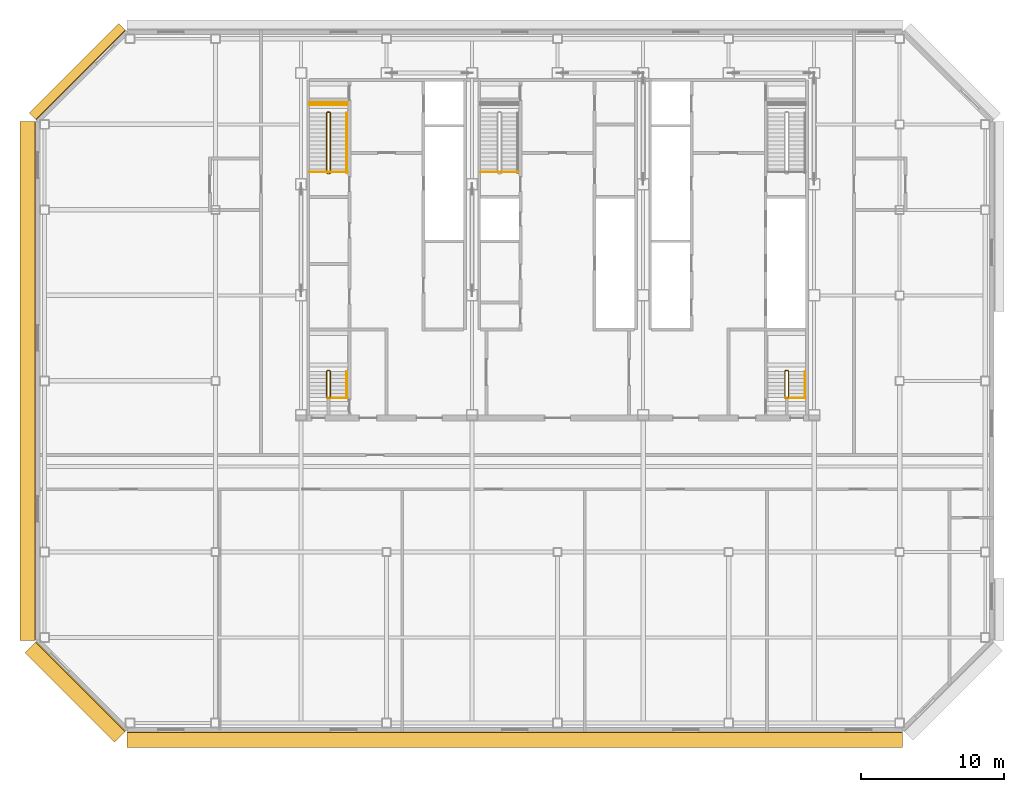
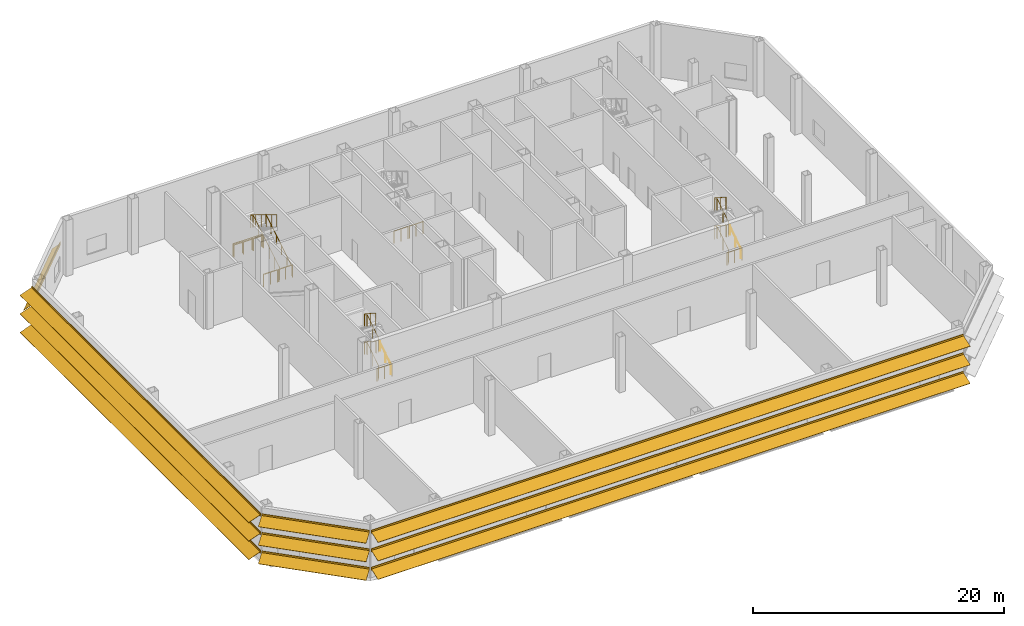
# One storey, part 10 of 11: 16 railings, 4 shading devices.
"""IFC4 building model written with IfcOpenShell, lengths in metres."""

import ifcopenshell
import ifcopenshell.guid

model = None  # the IFC model being written
_history = None  # IfcOwnerHistory: only IFC2X3 demands one
_inside = {}  # id of a spatial element -> (the spatial element, [elements in it])
_under = {}  # id of a project, library or spatial element -> (it, [spatial elements below it])
_declared = {}  # id of a project -> (the project, [libraries it declares])
_typed = {}  # id of a type object -> (the type object, [elements of that type])
_made_of = {}  # id of a material, layer set ... -> (it, [elements and type objects made of it])


def new_model(schema):
    """Start an empty IFC model of exactly this schema.

    Asked for "IFC4X3", IfcOpenShell would pick the latest addendum, in which some entities
    have other attributes; the version numbers below select the first issue.
    IFC2X3 requires an IfcOwnerHistory on every rooted entity: one is made here for all.
    """
    global model, _history
    if schema == "IFC4X3":
        model = ifcopenshell.file(schema_version=(4, 3, 0, 0))
    else:
        model = ifcopenshell.file(schema=schema)
    _inside.clear()
    _under.clear()
    _declared.clear()
    _typed.clear()
    _made_of.clear()
    _history = None
    if model.schema == "IFC2X3":
        org = make("IfcOrganization", Name="unknown")
        user = make(
            "IfcPersonAndOrganization",
            ThePerson=make("IfcPerson", FamilyName="unknown"),
            TheOrganization=org,
        )
        app = make(
            "IfcApplication",
            ApplicationDeveloper=org,
            Version="unknown",
            ApplicationFullName="unknown",
            ApplicationIdentifier="unknown",
        )
        _history = make(
            "IfcOwnerHistory",
            OwningUser=user,
            OwningApplication=app,
            ChangeAction="ADDED",
            CreationDate=0,
        )
    return model


def make(cls, **values):
    """One entity of the class cls with the attributes given. An attribute that is None is left unset."""
    return model.create_entity(
        cls, **{name: value for name, value in values.items() if value is not None}
    )


def rooted(cls, **values):
    """An entity with a GlobalId (a new one), such as an element, a storey or a relation."""
    return make(cls, GlobalId=ifcopenshell.guid.new(), OwnerHistory=_history, **values)


def si_unit(unit_type, name, prefix=None):
    """IfcSIUnit, for example si_unit("LENGTHUNIT", "METRE", prefix="MILLI")."""
    return make("IfcSIUnit", UnitType=unit_type, Prefix=prefix, Name=name)


def assignment(units):
    """IfcUnitAssignment: the units of a project."""
    return None if units is None else make("IfcUnitAssignment", Units=units)


def point(xyz):
    """IfcCartesianPoint."""
    return None if xyz is None else make("IfcCartesianPoint", Coordinates=xyz)


def direction(xyz):
    """IfcDirection."""
    return None if xyz is None else make("IfcDirection", DirectionRatios=xyz)


def frame(location, z_axis=None, x_axis=None):
    """IfcAxis2Placement3D, a coordinate frame: its origin and axes. An axis left out is left unset."""
    return make(
        "IfcAxis2Placement3D",
        Location=point(location),
        Axis=direction(z_axis),
        RefDirection=direction(x_axis),
    )


def frame_2d(location, x_axis=None):
    """IfcAxis2Placement2D, a coordinate frame in the plane: its origin and x axis."""
    return make(
        "IfcAxis2Placement2D", Location=point(location), RefDirection=direction(x_axis)
    )


def origin():
    """The frame at (0, 0, 0) with its axes left unset."""
    return frame((0.0, 0.0, 0.0))


def origin_2d():
    """The frame at (0, 0) in the plane with its x axis left unset."""
    return frame_2d((0.0, 0.0))


def place(relative_to, where):
    """IfcLocalPlacement: puts the frame where relative to a parent placement (None: the world)."""
    return make(
        "IfcLocalPlacement", PlacementRelTo=relative_to, RelativePlacement=where
    )


def context(
    kind, dimensions, precision=None, world=None, true_north=None, identifier=None
):
    """IfcGeometricRepresentationContext, for example the 3D "Model" context."""
    return make(
        "IfcGeometricRepresentationContext",
        ContextIdentifier=identifier,
        ContextType=kind,
        CoordinateSpaceDimension=dimensions,
        Precision=precision,
        WorldCoordinateSystem=world,
        TrueNorth=true_north,
    )


def subcontext(parent, identifier, kind, view, scale=None):
    """IfcGeometricRepresentationSubContext, for example "Body" below "Model"."""
    return make(
        "IfcGeometricRepresentationSubContext",
        ContextIdentifier=identifier,
        ContextType=kind,
        ParentContext=parent,
        TargetScale=scale,
        TargetView=view,
    )


def project(units=None, contexts=None):
    """IfcProject with its units and contexts."""
    return rooted(
        "IfcProject",
        Name="project",
        RepresentationContexts=contexts,
        UnitsInContext=assignment(units),
    )


def spatial(cls, under=None, at=None, **own):
    """A site, building, storey or space (cls), placed at a placement, below another one or the project."""
    s = rooted(cls, ObjectPlacement=at, **own)
    if under is not None:
        _under.setdefault(under.id(), (under, []))[1].append(s)
    return s


def polyline(points):
    """IfcPolyline through the points."""
    return make("IfcPolyline", Points=[point(p) for p in points])


def profile(cls, at=None, kind="AREA", **sizes):
    """A parametric profile (cls). Its sizes go by their IFC names, for example OverallWidth=200.0."""
    return make(cls, ProfileType=kind, Position=at, **sizes)


def circle(**sizes):
    """IfcCircleProfileDef."""
    return profile("IfcCircleProfileDef", **sizes)


def outline(outer, holes=None, kind="AREA"):
    """IfcArbitraryClosedProfileDef: a profile drawn as a closed curve; with holes, ...WithVoids."""
    if holes is None:
        return make("IfcArbitraryClosedProfileDef", ProfileType=kind, OuterCurve=outer)
    return make(
        "IfcArbitraryProfileDefWithVoids",
        ProfileType=kind,
        OuterCurve=outer,
        InnerCurves=holes,
    )


def composite_profile(profiles, kind="AREA"):
    """IfcCompositeProfileDef: several profiles as one."""
    return make("IfcCompositeProfileDef", ProfileType=kind, Profiles=profiles)


def extrude(swept, where, along, depth):
    """IfcExtrudedAreaSolid: the profile swept, set in the frame where, extruded along a direction by depth."""
    return make(
        "IfcExtrudedAreaSolid",
        SweptArea=swept,
        Position=where,
        ExtrudedDirection=direction(along),
        Depth=depth,
    )


def shape(context_of_items, identifier, shape_type, items):
    """IfcShapeRepresentation: the items that make up one representation, for example the "Body"."""
    return make(
        "IfcShapeRepresentation",
        ContextOfItems=context_of_items,
        RepresentationIdentifier=identifier,
        RepresentationType=shape_type,
        Items=items,
    )


def material(Name=None, Category=None):
    """IfcMaterial."""
    return make("IfcMaterial", Name=Name, Category=Category)


def made_of(thing, what):
    """Note that an element or type object is made of a material, layer set ...; save() writes the relation."""
    if what is not None:
        _made_of.setdefault(what.id(), (what, []))[1].append(thing)
    return thing


def type_object(cls, material=None, **own):
    """A type object (cls), such as IfcWallType, which elements share."""
    return made_of(rooted(cls, **own), material)


def element(
    cls,
    number,
    at=None,
    inside=None,
    cuts=None,
    type_object=None,
    material=None,
    context=None,
    identifier="Body",
    shape_type=None,
    held_by="IfcProductDefinitionShape",
    body=None,
    shapes=None,
    **own,
):
    """One element of the class cls, such as IfcWall. Its Tag is "e" and its number.

    at: its placement. inside: the storey or other place that contains it. cuts: it is an
    opening in that element (IfcRelVoidsElement). A single representation is given by context,
    identifier, shape_type and body (its items); several are given by shapes. held_by: the class
    of the entity that holds the representations. save() writes the other relations.
    """
    e = rooted(cls, Tag="e%d" % number, ObjectPlacement=at, **own)
    if body is not None:
        shapes = [shape(context, identifier, shape_type, body)]
    if shapes is not None:
        e.Representation = make(held_by, Representations=shapes)
    if inside is not None:
        _inside.setdefault(inside.id(), (inside, []))[1].append(e)
    if cuts is not None:
        rooted(
            "IfcRelVoidsElement", RelatingBuildingElement=cuts, RelatedOpeningElement=e
        )
    if type_object is not None:
        _typed.setdefault(type_object.id(), (type_object, []))[1].append(e)
    return made_of(e, material)


def aggregate(whole, parts):
    """IfcRelAggregates: a whole, such as a stair, and the parts it consists of."""
    return rooted("IfcRelAggregates", RelatingObject=whole, RelatedObjects=parts)


def save(model, path):
    """Write the relations noted so far, then the file.

    IfcRelAggregates (storeys below a building ...), IfcRelContainedInSpatialStructure (elements
    in a storey), IfcRelDefinesByType, IfcRelAssociatesMaterial and IfcRelDeclares: one each for
    every whole, place, type object, material and project.
    """
    for whole, parts in _under.values():
        aggregate(whole, parts)
    for where, things in _inside.values():
        rooted(
            "IfcRelContainedInSpatialStructure",
            RelatedElements=things,
            RelatingStructure=where,
        )
    for kind, things in _typed.values():
        rooted("IfcRelDefinesByType", RelatedObjects=things, RelatingType=kind)
    for what, things in _made_of.values():
        rooted("IfcRelAssociatesMaterial", RelatedObjects=things, RelatingMaterial=what)
    for by, libraries in _declared.values():
        rooted("IfcRelDeclares", RelatingContext=by, RelatedDefinitions=libraries)
    model.write(path)


model = new_model("IFC4")

# Units and contexts
model_context = context("Model", 3, precision=1e-05, world=origin(), true_north=direction((0.0, 1.0)))
body_context = subcontext(model_context, "Body", "Model", "MODEL_VIEW")
ifc_project = project(units=[si_unit("LENGTHUNIT", "METRE"), si_unit("AREAUNIT", "SQUARE_METRE"), si_unit("VOLUMEUNIT", "CUBIC_METRE"), si_unit("PLANEANGLEUNIT", "RADIAN"), si_unit("MASSUNIT", "GRAM", prefix="KILO")], contexts=[model_context])

# Site, building, storey
site_placement = place(None, origin())
site = spatial("IfcSite", under=ifc_project, at=site_placement, CompositionType="ELEMENT")
building_placement = place(site_placement, origin())
building = spatial("IfcBuilding", under=site, at=building_placement, Name="Sorahane Residences", CompositionType="ELEMENT")
storey_placement = place(building_placement, frame((0.0, 0.0, 234.199951171875)))
storey = spatial("IfcBuildingStorey", under=building, at=storey_placement, Name="L55", CompositionType="ELEMENT", Elevation=234.199951171875)

# Shading devices
ifc_material_1 = material(Name="Terracotta anodised aluminium", Category="masonry")
shading_device_type_1 = type_object("IfcShadingDeviceType", Name="Louvre sunshade blade NW terracotta aluminium 700", PredefinedType="JALOUSIE", material=ifc_material_1)
shading_device_1_placement = place(storey_placement, frame((-6.283935546875, 48.564697265625, 2.699951171875), z_axis=(-0.707106781187, -0.707106781187, 0.0), x_axis=(0.707106781187, -0.707106781187, 0.0)))
element("IfcShadingDevice", 1, at=shading_device_1_placement, inside=storey, type_object=shading_device_type_1, Name="Louvre sunshade blade bank NW L55 NW1", PredefinedType="JALOUSIE", context=body_context, shape_type="SweptSolid", body=[
    extrude(outline(polyline([(-0.719970703125, -0.660888671875), (-0.719970703125, -0.69091796875), (-0.080078125, -0.072998046875), (-0.080078125, -0.14990234375), (-0.02001953125, -0.14990234375), (-0.02001953125, -0.014892578125), (-0.02001953125, 0.014892578125), (-0.02001953125, 0.14990234375), (-0.080078125, 0.14990234375), (-0.080078125, -0.04296875), (-0.719970703125, -0.660888671875)])), origin(), (0.0, 0.0, 1.0), 8.88232421875),
])
ifc_material_2 = material(Name="Terracotta anodised aluminium", Category="masonry")
shading_device_type_2 = type_object("IfcShadingDeviceType", Name="Louvre sunshade blade S terracotta aluminium 1100", PredefinedType="JALOUSIE", material=ifc_material_2)
shading_device_2_placement = place(storey_placement, frame((-6.198486328125, -0.60009765625, 0.900146484375), z_axis=(1.0, 0.0, 0.0), x_axis=(0.0, 1.0, 0.0)))
element("IfcShadingDevice", 2, at=shading_device_2_placement, inside=storey, type_object=shading_device_type_2, Name="Louvre sunshade blade bank S L55 S1", PredefinedType="JALOUSIE", context=body_context, shape_type="SweptSolid", body=[
    extrude(composite_profile([outline(polyline([(-1.1201171875, -0.385498046875), (-1.1201171875, -0.415283203125), (-0.080078125, -0.036865234375), (-0.080078125, -0.14990234375), (-0.02001953125, -0.14990234375), (-0.02001953125, -0.014892578125), (-0.02001953125, 0.014892578125), (-0.02001953125, 0.14990234375), (-0.080078125, 0.14990234375), (-0.080078125, -0.0068359375), (-1.1201171875, -0.385498046875)])), outline(polyline([(-1.1201171875, 1.41455078125), (-1.1201171875, 1.384521484375), (-0.080078125, 1.76318359375), (-0.080078125, 1.64990234375), (-0.02001953125, 1.64990234375), (-0.02001953125, 1.784912109375), (-0.02001953125, 1.81494140625), (-0.02001953125, 1.949951171875), (-0.080078125, 1.949951171875), (-0.080078125, 1.793212890625), (-1.1201171875, 1.41455078125)])), outline(polyline([(-1.1201171875, 3.214599609375), (-1.1201171875, 3.1845703125), (-0.080078125, 3.563232421875), (-0.080078125, 3.449951171875), (-0.02001953125, 3.449951171875), (-0.02001953125, 3.5849609375), (-0.02001953125, 3.614990234375), (-0.02001953125, 3.75), (-0.080078125, 3.75), (-0.080078125, 3.59326171875), (-1.1201171875, 3.214599609375)]))]), origin(), (0.0, 0.0, 1.0), 54.39697265625),
])
ifc_material_3 = material(Name="Terracotta anodised aluminium", Category="masonry")
shading_device_type_3 = type_object("IfcShadingDeviceType", Name="Louvre sunshade blade SW terracotta aluminium 1100", PredefinedType="JALOUSIE", material=ifc_material_3)
shading_device_3_placement = place(storey_placement, frame((-12.564697265625, 5.716064453125, 0.900146484375), z_axis=(0.707106781187, -0.707106781187, 0.0), x_axis=(0.707106781187, 0.707106781187, 0.0)))
element("IfcShadingDevice", 3, at=shading_device_3_placement, inside=storey, type_object=shading_device_type_3, Name="Louvre sunshade blade bank SW L55 SW1", PredefinedType="JALOUSIE", context=body_context, shape_type="SweptSolid", body=[
    extrude(composite_profile([outline(polyline([(-1.1201171875, -0.385498046875), (-1.1201171875, -0.415283203125), (-0.080078125, -0.036865234375), (-0.080078125, -0.14990234375), (-0.02001953125, -0.14990234375), (-0.02001953125, -0.014892578125), (-0.02001953125, 0.014892578125), (-0.02001953125, 0.14990234375), (-0.080078125, 0.14990234375), (-0.080078125, -0.0068359375), (-1.1201171875, -0.385498046875)])), outline(polyline([(-1.1201171875, 1.41455078125), (-1.1201171875, 1.384521484375), (-0.080078125, 1.76318359375), (-0.080078125, 1.64990234375), (-0.02001953125, 1.64990234375), (-0.02001953125, 1.784912109375), (-0.02001953125, 1.81494140625), (-0.02001953125, 1.949951171875), (-0.080078125, 1.949951171875), (-0.080078125, 1.793212890625), (-1.1201171875, 1.41455078125)])), outline(polyline([(-1.1201171875, 3.214599609375), (-1.1201171875, 3.1845703125), (-0.080078125, 3.563232421875), (-0.080078125, 3.449951171875), (-0.02001953125, 3.449951171875), (-0.02001953125, 3.5849609375), (-0.02001953125, 3.614990234375), (-0.02001953125, 3.75), (-0.080078125, 3.75), (-0.080078125, 3.59326171875), (-1.1201171875, 3.214599609375)]))]), origin(), (0.0, 0.0, 1.0), 8.88232421875),
])
ifc_material_4 = material(Name="Terracotta anodised aluminium", Category="masonry")
shading_device_type_4 = type_object("IfcShadingDeviceType", Name="Louvre sunshade blade W terracotta aluminium 1100", PredefinedType="JALOUSIE", material=ifc_material_4)
shading_device_4_placement = place(storey_placement, frame((-12.60009765625, 42.198486328125, 0.900146484375), z_axis=(0.0, -1.0, 0.0), x_axis=(1.0, 0.0, 0.0)))
element("IfcShadingDevice", 4, at=shading_device_4_placement, inside=storey, type_object=shading_device_type_4, Name="Louvre sunshade blade bank W L55 W1", PredefinedType="JALOUSIE", context=body_context, shape_type="SweptSolid", body=[
    extrude(composite_profile([outline(polyline([(-1.1201171875, -0.385498046875), (-1.1201171875, -0.415283203125), (-0.080078125, -0.036865234375), (-0.080078125, -0.14990234375), (-0.02001953125, -0.14990234375), (-0.02001953125, -0.014892578125), (-0.02001953125, 0.014892578125), (-0.02001953125, 0.14990234375), (-0.080078125, 0.14990234375), (-0.080078125, -0.0068359375), (-1.1201171875, -0.385498046875)])), outline(polyline([(-1.1201171875, 1.41455078125), (-1.1201171875, 1.384521484375), (-0.080078125, 1.76318359375), (-0.080078125, 1.64990234375), (-0.02001953125, 1.64990234375), (-0.02001953125, 1.784912109375), (-0.02001953125, 1.81494140625), (-0.02001953125, 1.949951171875), (-0.080078125, 1.949951171875), (-0.080078125, 1.793212890625), (-1.1201171875, 1.41455078125)])), outline(polyline([(-1.1201171875, 3.214599609375), (-1.1201171875, 3.1845703125), (-0.080078125, 3.563232421875), (-0.080078125, 3.449951171875), (-0.02001953125, 3.449951171875), (-0.02001953125, 3.5849609375), (-0.02001953125, 3.614990234375), (-0.02001953125, 3.75), (-0.080078125, 3.75), (-0.080078125, 3.59326171875), (-1.1201171875, 3.214599609375)]))]), origin(), (0.0, 0.0, 1.0), 36.39697265625),
])

# Railings
ifc_material_5 = material(Name="Steel Q355B", Category="steel")
railing_type_1 = type_object("IfcRailingType", Name="Stair guard 1200 Steel Q355B", PredefinedType="GUARDRAIL", material=ifc_material_5)
railing_1_placement = place(storey_placement, frame((6.60009765625, 43.52490234375, 0.0)))
element("IfcRailing", 5, at=railing_1_placement, inside=storey, type_object=railing_type_1, Name="L55 S1 top well guard 1", PredefinedType="GUARDRAIL", context=body_context, shape_type="SweptSolid", body=[
    extrude(circle(Radius=0.02392578125, at=origin_2d()), frame((0.0, 0.0, 1.17578125), z_axis=(1.0, 0.0, 0.0), x_axis=(0.0, 1.0, 0.0)), (0.0, 0.0, 1.0), 2.64990234375),
    extrude(circle(Radius=0.02099609375, at=origin_2d()), origin(), (0.0, 0.0, 1.0), 1.15185546875),
    extrude(circle(Radius=0.02099609375, at=origin_2d()), frame((0.88330078125, 0.0, 0.0)), (0.0, 0.0, 1.0), 1.15185546875),
    extrude(circle(Radius=0.02099609375, at=origin_2d()), frame((1.7666015625, 0.0, 0.0)), (0.0, 0.0, 1.0), 1.15185546875),
    extrude(circle(Radius=0.02099609375, at=origin_2d()), frame((2.64990234375, 0.0, 0.0)), (0.0, 0.0, 1.0), 1.15185546875),
])
for number, where, name in (
    (6, (6.60009765625, 38.64990234375, 0.0), "L55 Stair S1 edge guard"),
    (7, (7.983154296875, 38.64990234375, 0.0), "L55 Stair S1 edge guard"),
):
    element("IfcRailing", number, at=place(storey_placement, frame(where)), inside=storey, type_object=railing_type_1, Name=name, PredefinedType="GUARDRAIL", context=body_context, shape_type="SweptSolid", body=[
        extrude(circle(Radius=0.02392578125, at=origin_2d()), frame((0.0, 0.0, 1.17578125), z_axis=(1.0, 0.0, 0.0), x_axis=(0.0, 1.0, 0.0)), (0.0, 0.0, 1.0), 1.266845703125),
        extrude(circle(Radius=0.02099609375, at=origin_2d()), origin(), (0.0, 0.0, 1.0), 1.15185546875),
        extrude(circle(Radius=0.02099609375, at=origin_2d()), frame((0.63330078125, 0.0, 0.0)), (0.0, 0.0, 1.0), 1.15185546875),
        extrude(circle(Radius=0.02099609375, at=origin_2d()), frame((1.266845703125, 0.0, 0.0)), (0.0, 0.0, 1.0), 1.15185546875),
    ])
railing_2_placement = place(storey_placement, frame((6.60009765625, 43.35009765625, 0.0)))
element("IfcRailing", 8, at=railing_2_placement, inside=storey, type_object=railing_type_1, Name="L55 Stair S1 edge guard", PredefinedType="GUARDRAIL", context=body_context, shape_type="SweptSolid", body=[
    extrude(circle(Radius=0.02392578125, at=origin_2d()), frame((0.0, 0.0, 1.17578125), z_axis=(1.0, 0.0, 0.0), x_axis=(0.0, 1.0, 0.0)), (0.0, 0.0, 1.0), 2.64990234375),
    extrude(circle(Radius=0.02099609375, at=origin_2d()), origin(), (0.0, 0.0, 1.0), 1.15185546875),
    extrude(circle(Radius=0.02099609375, at=origin_2d()), frame((0.88330078125, 0.0, 0.0)), (0.0, 0.0, 1.0), 1.15185546875),
    extrude(circle(Radius=0.02099609375, at=origin_2d()), frame((1.7666015625, 0.0, 0.0)), (0.0, 0.0, 1.0), 1.15185546875),
    extrude(circle(Radius=0.02099609375, at=origin_2d()), frame((2.64990234375, 0.0, 0.0)), (0.0, 0.0, 1.0), 1.15185546875),
])
railing_3_placement = place(storey_placement, frame((7.85009765625, 38.550048828125, 0.0)))
element("IfcRailing", 9, at=railing_3_placement, inside=storey, type_object=railing_type_1, Name="L55 S1 stair guard 1", PredefinedType="GUARDRAIL", context=body_context, shape_type="SweptSolid", body=[
    extrude(circle(Radius=0.02392578125, at=origin_2d()), frame((0.0, 0.0, 1.17578125), z_axis=(1.0, 0.0, 0.0), x_axis=(0.0, 1.0, 0.0)), (0.0, 0.0, 1.0), 0.14990234375),
    extrude(circle(Radius=0.02392578125, at=origin_2d()), frame((0.14990234375, 0.0, 1.17578125), z_axis=(0.273569069059, 0.273569069059, 0.922127935218), x_axis=(-0.707106781187, 0.707106781187, 0.0)), (0.0, 0.0, 1.0), 0.182861328125),
    extrude(circle(Radius=0.02392578125, at=origin_2d()), frame((0.199951171875, 0.050048828125, 1.3447265625), z_axis=(0.0, 0.856476492594, 0.516186030065), x_axis=(-1.0, 0.0, 0.0)), (0.0, 0.0, 1.0), 4.90380859375),
    extrude(circle(Radius=0.02392578125, at=origin_2d()), frame((0.199951171875, 4.25, 3.8759765625), z_axis=(-0.707106781187, 0.707106781187, 0.0), x_axis=(-0.707106781187, -0.707106781187, 0.0)), (0.0, 0.0, 1.0), 0.07080078125),
    extrude(circle(Radius=0.02392578125, at=origin_2d()), frame((0.14990234375, 4.300048828125, 3.8759765625), z_axis=(-1.0, 0.0, 0.0), x_axis=(0.0, -1.0, 0.0)), (0.0, 0.0, 1.0), 0.14990234375),
    extrude(circle(Radius=0.02392578125, at=origin_2d()), frame((0.0, 4.300048828125, 3.8759765625), z_axis=(-0.273232802156, -0.273232802156, 0.922327312645), x_axis=(0.707106781187, -0.707106781187, 0.0)), (0.0, 0.0, 1.0), 0.18310546875),
    extrude(circle(Radius=0.02392578125, at=origin_2d()), frame((-0.050048828125, 4.25, 4.044921875), z_axis=(0.0, -0.856476492594, 0.516186030065), x_axis=(1.0, 0.0, 0.0)), (0.0, 0.0, 1.0), 4.90380859375),
    extrude(circle(Radius=0.02099609375, at=origin_2d()), origin(), (0.0, 0.0, 1.0), 1.15185546875),
    extrude(circle(Radius=0.02099609375, at=origin_2d()), frame((0.14990234375, 0.0, 0.0)), (0.0, 0.0, 1.0), 1.15185546875),
    extrude(circle(Radius=0.02099609375, at=origin_2d()), frame((0.199951171875, 0.050048828125, 0.168701171875)), (0.0, 0.0, 1.0), 1.15185546875),
    extrude(circle(Radius=0.02099609375, at=origin_2d()), frame((0.199951171875, 0.89013671875, 0.675048828125)), (0.0, 0.0, 1.0), 1.15185546875),
    extrude(circle(Radius=0.02099609375, at=origin_2d()), frame((0.199951171875, 1.72998046875, 1.18115234375)), (0.0, 0.0, 1.0), 1.15185546875),
    extrude(circle(Radius=0.02099609375, at=origin_2d()), frame((0.199951171875, 2.570068359375, 1.6875)), (0.0, 0.0, 1.0), 1.15185546875),
    extrude(circle(Radius=0.02099609375, at=origin_2d()), frame((0.199951171875, 3.409912109375, 2.193603515625)), (0.0, 0.0, 1.0), 1.15185546875),
    extrude(circle(Radius=0.02099609375, at=origin_2d()), frame((0.199951171875, 4.25, 2.699951171875)), (0.0, 0.0, 1.0), 1.15185546875),
    extrude(circle(Radius=0.02099609375, at=origin_2d()), frame((0.14990234375, 4.300048828125, 2.699951171875)), (0.0, 0.0, 1.0), 1.15185546875),
    extrude(circle(Radius=0.02099609375, at=origin_2d()), frame((0.0, 4.300048828125, 2.699951171875)), (0.0, 0.0, 1.0), 1.15185546875),
    extrude(circle(Radius=0.02099609375, at=origin_2d()), frame((-0.050048828125, 4.25, 2.868896484375)), (0.0, 0.0, 1.0), 1.15185546875),
    extrude(circle(Radius=0.02099609375, at=origin_2d()), frame((-0.050048828125, 3.409912109375, 3.375244140625)), (0.0, 0.0, 1.0), 1.15185546875),
    extrude(circle(Radius=0.02099609375, at=origin_2d()), frame((-0.050048828125, 2.570068359375, 3.88134765625)), (0.0, 0.0, 1.0), 1.15185546875),
    extrude(circle(Radius=0.02099609375, at=origin_2d()), frame((-0.050048828125, 1.72998046875, 4.3876953125)), (0.0, 0.0, 1.0), 1.15185546875),
    extrude(circle(Radius=0.02099609375, at=origin_2d()), frame((-0.050048828125, 0.89013671875, 4.893798828125)), (0.0, 0.0, 1.0), 1.15185546875),
    extrude(circle(Radius=0.02099609375, at=origin_2d()), frame((-0.050048828125, 0.050048828125, 5.400146484375)), (0.0, 0.0, 1.0), 1.15185546875),
])
for number, where, name in (
    (10, (18.60009765625, 38.64990234375, 0.0), "L55 Stair S3 edge guard"),
    (11, (19.983154296875, 38.64990234375, 0.0), "L55 Stair S3 edge guard"),
):
    element("IfcRailing", number, at=place(storey_placement, frame(where)), inside=storey, type_object=railing_type_1, Name=name, PredefinedType="GUARDRAIL", context=body_context, shape_type="SweptSolid", body=[
        extrude(circle(Radius=0.02392578125, at=origin_2d()), frame((0.0, 0.0, 1.17578125), z_axis=(1.0, 0.0, 0.0), x_axis=(0.0, 1.0, 0.0)), (0.0, 0.0, 1.0), 1.266845703125),
        extrude(circle(Radius=0.02099609375, at=origin_2d()), origin(), (0.0, 0.0, 1.0), 1.15185546875),
        extrude(circle(Radius=0.02099609375, at=origin_2d()), frame((0.63330078125, 0.0, 0.0)), (0.0, 0.0, 1.0), 1.15185546875),
        extrude(circle(Radius=0.02099609375, at=origin_2d()), frame((1.266845703125, 0.0, 0.0)), (0.0, 0.0, 1.0), 1.15185546875),
    ])
railing_4_placement = place(storey_placement, frame((9.25, 22.800048828125, 0.0)))
element("IfcRailing", 12, at=railing_4_placement, inside=storey, type_object=railing_type_1, Name="L55 S4 top well guard 1", PredefinedType="GUARDRAIL", context=body_context, shape_type="SweptSolid", body=[
    extrude(circle(Radius=0.02392578125, at=origin_2d()), frame((0.0, 0.0, 1.17578125), z_axis=(-1.0, 0.0, 0.0), x_axis=(0.0, -1.0, 0.0)), (0.0, 0.0, 1.0), 1.39990234375),
    extrude(circle(Radius=0.02099609375, at=origin_2d()), origin(), (0.0, 0.0, 1.0), 1.15185546875),
    extrude(circle(Radius=0.02099609375, at=origin_2d()), frame((-0.699951171875, 0.0, 0.0)), (0.0, 0.0, 1.0), 1.15185546875),
    extrude(circle(Radius=0.02099609375, at=origin_2d()), frame((-1.39990234375, 0.0, 0.0)), (0.0, 0.0, 1.0), 1.15185546875),
])
railing_5_placement = place(storey_placement, frame((7.85009765625, 22.800048828125, 0.0)))
element("IfcRailing", 13, at=railing_5_placement, inside=storey, type_object=railing_type_1, Name="L55 S4 stair guard 1", PredefinedType="GUARDRAIL", context=body_context, shape_type="SweptSolid", body=[
    extrude(circle(Radius=0.02392578125, at=origin_2d()), frame((0.0, 0.0, 1.17578125), z_axis=(1.0, 0.0, 0.0), x_axis=(0.0, 1.0, 0.0)), (0.0, 0.0, 1.0), 0.14990234375),
    extrude(circle(Radius=0.02392578125, at=origin_2d()), frame((0.14990234375, 0.0, 1.17578125), z_axis=(0.273569069059, 0.273569069059, 0.922127935218), x_axis=(-0.707106781187, 0.707106781187, 0.0)), (0.0, 0.0, 1.0), 0.182861328125),
    extrude(circle(Radius=0.02392578125, at=origin_2d()), frame((0.199951171875, 0.050048828125, 1.3447265625), z_axis=(0.0, 0.838757122003, 0.544505730262), x_axis=(-1.0, 0.0, 0.0)), (0.0, 0.0, 1.0), 2.169677734375),
    extrude(circle(Radius=0.02392578125, at=origin_2d()), frame((0.199951171875, 1.869873046875, 2.52587890625), z_axis=(-0.707106781187, 0.707106781187, 0.0), x_axis=(-0.707106781187, -0.707106781187, 0.0)), (0.0, 0.0, 1.0), 0.07080078125),
    extrude(circle(Radius=0.02392578125, at=origin_2d()), frame((0.14990234375, 1.919921875, 2.52587890625), z_axis=(-1.0, 0.0, 0.0), x_axis=(0.0, -1.0, 0.0)), (0.0, 0.0, 1.0), 0.14990234375),
    extrude(circle(Radius=0.02392578125, at=origin_2d()), frame((0.0, 1.919921875, 2.52587890625), z_axis=(-0.273569069059, -0.273569069059, 0.922127935218), x_axis=(0.707106781187, -0.707106781187, 0.0)), (0.0, 0.0, 1.0), 0.182861328125),
    extrude(circle(Radius=0.02392578125, at=origin_2d()), frame((-0.050048828125, 1.869873046875, 2.69482421875), z_axis=(0.0, -0.838808512231, 0.544426560528), x_axis=(1.0, 0.0, 0.0)), (0.0, 0.0, 1.0), 2.16943359375),
    extrude(circle(Radius=0.02099609375, at=origin_2d()), origin(), (0.0, 0.0, 1.0), 1.15185546875),
    extrude(circle(Radius=0.02099609375, at=origin_2d()), frame((0.14990234375, 0.0, 0.0)), (0.0, 0.0, 1.0), 1.15185546875),
    extrude(circle(Radius=0.02099609375, at=origin_2d()), frame((0.199951171875, 0.050048828125, 0.168701171875)), (0.0, 0.0, 1.0), 1.15185546875),
    extrude(circle(Radius=0.02099609375, at=origin_2d()), frame((0.199951171875, 0.9599609375, 0.75927734375)), (0.0, 0.0, 1.0), 1.15185546875),
    extrude(circle(Radius=0.02099609375, at=origin_2d()), frame((0.199951171875, 1.869873046875, 1.35009765625)), (0.0, 0.0, 1.0), 1.15185546875),
    extrude(circle(Radius=0.02099609375, at=origin_2d()), frame((0.14990234375, 1.919921875, 1.35009765625)), (0.0, 0.0, 1.0), 1.15185546875),
    extrude(circle(Radius=0.02099609375, at=origin_2d()), frame((0.0, 1.919921875, 1.35009765625)), (0.0, 0.0, 1.0), 1.15185546875),
    extrude(circle(Radius=0.02099609375, at=origin_2d()), frame((-0.050048828125, 1.869873046875, 1.518798828125)), (0.0, 0.0, 1.0), 1.15185546875),
    extrude(circle(Radius=0.02099609375, at=origin_2d()), frame((-0.050048828125, 0.9599609375, 2.109375)), (0.0, 0.0, 1.0), 1.15185546875),
    extrude(circle(Radius=0.02099609375, at=origin_2d()), frame((-0.050048828125, 0.050048828125, 2.699951171875)), (0.0, 0.0, 1.0), 1.15185546875),
])
railing_6_placement = place(storey_placement, frame((7.85009765625, 22.800048828125, 2.699951171875)))
element("IfcRailing", 14, at=railing_6_placement, inside=storey, type_object=railing_type_1, Name="L55 S4 stair guard 2", PredefinedType="GUARDRAIL", context=body_context, shape_type="SweptSolid", body=[
    extrude(circle(Radius=0.02392578125, at=origin_2d()), frame((0.0, 0.0, 1.17578125), z_axis=(1.0, 0.0, 0.0), x_axis=(0.0, 1.0, 0.0)), (0.0, 0.0, 1.0), 0.14990234375),
    extrude(circle(Radius=0.02392578125, at=origin_2d()), frame((0.14990234375, 0.0, 1.17578125), z_axis=(0.273232802156, 0.273232802156, 0.922327312645), x_axis=(-0.707106781187, 0.707106781187, 0.0)), (0.0, 0.0, 1.0), 0.18310546875),
    extrude(circle(Radius=0.02392578125, at=origin_2d()), frame((0.199951171875, 0.050048828125, 1.3447265625), z_axis=(0.0, 0.838808512231, 0.544426560528), x_axis=(-1.0, 0.0, 0.0)), (0.0, 0.0, 1.0), 2.16943359375),
    extrude(circle(Radius=0.02392578125, at=origin_2d()), frame((0.199951171875, 1.869873046875, 2.52587890625), z_axis=(-0.707106781187, 0.707106781187, 0.0), x_axis=(-0.707106781187, -0.707106781187, 0.0)), (0.0, 0.0, 1.0), 0.07080078125),
    extrude(circle(Radius=0.02392578125, at=origin_2d()), frame((0.14990234375, 1.919921875, 2.52587890625), z_axis=(-1.0, 0.0, 0.0), x_axis=(0.0, -1.0, 0.0)), (0.0, 0.0, 1.0), 0.14990234375),
    extrude(circle(Radius=0.02392578125, at=origin_2d()), frame((0.0, 1.919921875, 2.52587890625), z_axis=(-0.273569069059, -0.273569069059, 0.922127935218), x_axis=(0.707106781187, -0.707106781187, 0.0)), (0.0, 0.0, 1.0), 0.182861328125),
    extrude(circle(Radius=0.02392578125, at=origin_2d()), frame((-0.050048828125, 1.869873046875, 2.69482421875), z_axis=(0.0, -0.838757122003, 0.544505730262), x_axis=(1.0, 0.0, 0.0)), (0.0, 0.0, 1.0), 2.169677734375),
    extrude(circle(Radius=0.02099609375, at=origin_2d()), origin(), (0.0, 0.0, 1.0), 1.15185546875),
    extrude(circle(Radius=0.02099609375, at=origin_2d()), frame((0.14990234375, 0.0, 0.0)), (0.0, 0.0, 1.0), 1.15185546875),
    extrude(circle(Radius=0.02099609375, at=origin_2d()), frame((0.199951171875, 0.050048828125, 0.1689453125)), (0.0, 0.0, 1.0), 1.15185546875),
    extrude(circle(Radius=0.02099609375, at=origin_2d()), frame((0.199951171875, 0.9599609375, 0.759521484375)), (0.0, 0.0, 1.0), 1.15185546875),
    extrude(circle(Radius=0.02099609375, at=origin_2d()), frame((0.199951171875, 1.869873046875, 1.35009765625)), (0.0, 0.0, 1.0), 1.15185546875),
    extrude(circle(Radius=0.02099609375, at=origin_2d()), frame((0.14990234375, 1.919921875, 1.35009765625)), (0.0, 0.0, 1.0), 1.15185546875),
    extrude(circle(Radius=0.02099609375, at=origin_2d()), frame((0.0, 1.919921875, 1.35009765625)), (0.0, 0.0, 1.0), 1.15185546875),
    extrude(circle(Radius=0.02099609375, at=origin_2d()), frame((-0.050048828125, 1.869873046875, 1.518798828125)), (0.0, 0.0, 1.0), 1.15185546875),
    extrude(circle(Radius=0.02099609375, at=origin_2d()), frame((-0.050048828125, 0.9599609375, 2.109375)), (0.0, 0.0, 1.0), 1.15185546875),
    extrude(circle(Radius=0.02099609375, at=origin_2d()), frame((-0.050048828125, 0.050048828125, 2.7001953125)), (0.0, 0.0, 1.0), 1.15185546875),
])
railing_7_placement = place(storey_placement, frame((41.39990234375, 22.800048828125, 0.0)))
element("IfcRailing", 15, at=railing_7_placement, inside=storey, type_object=railing_type_1, Name="L55 S5 top well guard 1", PredefinedType="GUARDRAIL", context=body_context, shape_type="SweptSolid", body=[
    extrude(circle(Radius=0.02392578125, at=origin_2d()), frame((0.0, 0.0, 1.17578125), z_axis=(-1.0, 0.0, 0.0), x_axis=(0.0, -1.0, 0.0)), (0.0, 0.0, 1.0), 1.39990234375),
    extrude(circle(Radius=0.02099609375, at=origin_2d()), origin(), (0.0, 0.0, 1.0), 1.15185546875),
    extrude(circle(Radius=0.02099609375, at=origin_2d()), frame((-0.699951171875, 0.0, 0.0)), (0.0, 0.0, 1.0), 1.15185546875),
    extrude(circle(Radius=0.02099609375, at=origin_2d()), frame((-1.39990234375, 0.0, 0.0)), (0.0, 0.0, 1.0), 1.15185546875),
])
railing_8_placement = place(storey_placement, frame((40.0, 22.800048828125, 0.0)))
element("IfcRailing", 16, at=railing_8_placement, inside=storey, type_object=railing_type_1, Name="L55 S5 stair guard 1", PredefinedType="GUARDRAIL", context=body_context, shape_type="SweptSolid", body=[
    extrude(circle(Radius=0.02392578125, at=origin_2d()), frame((0.0, 0.0, 1.17578125), z_axis=(1.0, 0.0, 0.0), x_axis=(0.0, 1.0, 0.0)), (0.0, 0.0, 1.0), 0.14990234375),
    extrude(circle(Radius=0.02392578125, at=origin_2d()), frame((0.14990234375, 0.0, 1.17578125), z_axis=(0.273569069059, 0.273569069059, 0.922127935218), x_axis=(-0.707106781187, 0.707106781187, 0.0)), (0.0, 0.0, 1.0), 0.182861328125),
    extrude(circle(Radius=0.02392578125, at=origin_2d()), frame((0.199951171875, 0.050048828125, 1.3447265625), z_axis=(0.0, 0.838757122003, 0.544505730262), x_axis=(-1.0, 0.0, 0.0)), (0.0, 0.0, 1.0), 2.169677734375),
    extrude(circle(Radius=0.02392578125, at=origin_2d()), frame((0.199951171875, 1.869873046875, 2.52587890625), z_axis=(-0.707106781187, 0.707106781187, 0.0), x_axis=(-0.707106781187, -0.707106781187, 0.0)), (0.0, 0.0, 1.0), 0.07080078125),
    extrude(circle(Radius=0.02392578125, at=origin_2d()), frame((0.14990234375, 1.919921875, 2.52587890625), z_axis=(-1.0, 0.0, 0.0), x_axis=(0.0, -1.0, 0.0)), (0.0, 0.0, 1.0), 0.14990234375),
    extrude(circle(Radius=0.02392578125, at=origin_2d()), frame((0.0, 1.919921875, 2.52587890625), z_axis=(-0.273569069059, -0.273569069059, 0.922127935218), x_axis=(0.707106781187, -0.707106781187, 0.0)), (0.0, 0.0, 1.0), 0.182861328125),
    extrude(circle(Radius=0.02392578125, at=origin_2d()), frame((-0.050048828125, 1.869873046875, 2.69482421875), z_axis=(0.0, -0.838808512231, 0.544426560528), x_axis=(1.0, 0.0, 0.0)), (0.0, 0.0, 1.0), 2.16943359375),
    extrude(circle(Radius=0.02099609375, at=origin_2d()), origin(), (0.0, 0.0, 1.0), 1.15185546875),
    extrude(circle(Radius=0.02099609375, at=origin_2d()), frame((0.14990234375, 0.0, 0.0)), (0.0, 0.0, 1.0), 1.15185546875),
    extrude(circle(Radius=0.02099609375, at=origin_2d()), frame((0.199951171875, 0.050048828125, 0.168701171875)), (0.0, 0.0, 1.0), 1.15185546875),
    extrude(circle(Radius=0.02099609375, at=origin_2d()), frame((0.199951171875, 0.9599609375, 0.75927734375)), (0.0, 0.0, 1.0), 1.15185546875),
    extrude(circle(Radius=0.02099609375, at=origin_2d()), frame((0.199951171875, 1.869873046875, 1.35009765625)), (0.0, 0.0, 1.0), 1.15185546875),
    extrude(circle(Radius=0.02099609375, at=origin_2d()), frame((0.14990234375, 1.919921875, 1.35009765625)), (0.0, 0.0, 1.0), 1.15185546875),
    extrude(circle(Radius=0.02099609375, at=origin_2d()), frame((0.0, 1.919921875, 1.35009765625)), (0.0, 0.0, 1.0), 1.15185546875),
    extrude(circle(Radius=0.02099609375, at=origin_2d()), frame((-0.050048828125, 1.869873046875, 1.518798828125)), (0.0, 0.0, 1.0), 1.15185546875),
    extrude(circle(Radius=0.02099609375, at=origin_2d()), frame((-0.050048828125, 0.9599609375, 2.109375)), (0.0, 0.0, 1.0), 1.15185546875),
    extrude(circle(Radius=0.02099609375, at=origin_2d()), frame((-0.050048828125, 0.050048828125, 2.699951171875)), (0.0, 0.0, 1.0), 1.15185546875),
])
railing_9_placement = place(storey_placement, frame((40.0, 22.800048828125, 2.699951171875)))
element("IfcRailing", 17, at=railing_9_placement, inside=storey, type_object=railing_type_1, Name="L55 S5 stair guard 2", PredefinedType="GUARDRAIL", context=body_context, shape_type="SweptSolid", body=[
    extrude(circle(Radius=0.02392578125, at=origin_2d()), frame((0.0, 0.0, 1.17578125), z_axis=(1.0, 0.0, 0.0), x_axis=(0.0, 1.0, 0.0)), (0.0, 0.0, 1.0), 0.14990234375),
    extrude(circle(Radius=0.02392578125, at=origin_2d()), frame((0.14990234375, 0.0, 1.17578125), z_axis=(0.273232802156, 0.273232802156, 0.922327312645), x_axis=(-0.707106781187, 0.707106781187, 0.0)), (0.0, 0.0, 1.0), 0.18310546875),
    extrude(circle(Radius=0.02392578125, at=origin_2d()), frame((0.199951171875, 0.050048828125, 1.3447265625), z_axis=(0.0, 0.838808512231, 0.544426560528), x_axis=(-1.0, 0.0, 0.0)), (0.0, 0.0, 1.0), 2.16943359375),
    extrude(circle(Radius=0.02392578125, at=origin_2d()), frame((0.199951171875, 1.869873046875, 2.52587890625), z_axis=(-0.707106781187, 0.707106781187, 0.0), x_axis=(-0.707106781187, -0.707106781187, 0.0)), (0.0, 0.0, 1.0), 0.07080078125),
    extrude(circle(Radius=0.02392578125, at=origin_2d()), frame((0.14990234375, 1.919921875, 2.52587890625), z_axis=(-1.0, 0.0, 0.0), x_axis=(0.0, -1.0, 0.0)), (0.0, 0.0, 1.0), 0.14990234375),
    extrude(circle(Radius=0.02392578125, at=origin_2d()), frame((0.0, 1.919921875, 2.52587890625), z_axis=(-0.273569069059, -0.273569069059, 0.922127935218), x_axis=(0.707106781187, -0.707106781187, 0.0)), (0.0, 0.0, 1.0), 0.182861328125),
    extrude(circle(Radius=0.02392578125, at=origin_2d()), frame((-0.050048828125, 1.869873046875, 2.69482421875), z_axis=(0.0, -0.838757122003, 0.544505730262), x_axis=(1.0, 0.0, 0.0)), (0.0, 0.0, 1.0), 2.169677734375),
    extrude(circle(Radius=0.02099609375, at=origin_2d()), origin(), (0.0, 0.0, 1.0), 1.15185546875),
    extrude(circle(Radius=0.02099609375, at=origin_2d()), frame((0.14990234375, 0.0, 0.0)), (0.0, 0.0, 1.0), 1.15185546875),
    extrude(circle(Radius=0.02099609375, at=origin_2d()), frame((0.199951171875, 0.050048828125, 0.1689453125)), (0.0, 0.0, 1.0), 1.15185546875),
    extrude(circle(Radius=0.02099609375, at=origin_2d()), frame((0.199951171875, 0.9599609375, 0.759521484375)), (0.0, 0.0, 1.0), 1.15185546875),
    extrude(circle(Radius=0.02099609375, at=origin_2d()), frame((0.199951171875, 1.869873046875, 1.35009765625)), (0.0, 0.0, 1.0), 1.15185546875),
    extrude(circle(Radius=0.02099609375, at=origin_2d()), frame((0.14990234375, 1.919921875, 1.35009765625)), (0.0, 0.0, 1.0), 1.15185546875),
    extrude(circle(Radius=0.02099609375, at=origin_2d()), frame((0.0, 1.919921875, 1.35009765625)), (0.0, 0.0, 1.0), 1.15185546875),
    extrude(circle(Radius=0.02099609375, at=origin_2d()), frame((-0.050048828125, 1.869873046875, 1.518798828125)), (0.0, 0.0, 1.0), 1.15185546875),
    extrude(circle(Radius=0.02099609375, at=origin_2d()), frame((-0.050048828125, 0.9599609375, 2.109375)), (0.0, 0.0, 1.0), 1.15185546875),
    extrude(circle(Radius=0.02099609375, at=origin_2d()), frame((-0.050048828125, 0.050048828125, 2.7001953125)), (0.0, 0.0, 1.0), 1.15185546875),
])
ifc_material_6 = material(Name="Steel Q355B", Category="steel")
railing_type_2 = type_object("IfcRailingType", Name="Stair handrail 900 Steel Q355B", PredefinedType="HANDRAIL", material=ifc_material_6)
railing_10_placement = place(storey_placement, frame((9.199951171875, 38.60009765625, 0.168701171875)))
element("IfcRailing", 18, at=railing_10_placement, inside=storey, type_object=railing_type_2, Name="L55 S1 stair handrail 1", PredefinedType="HANDRAIL", context=body_context, shape_type="SweptSolid", body=[
    extrude(circle(Radius=0.02392578125, at=origin_2d()), frame((0.0, 0.0, 0.8759765625), z_axis=(0.0, 0.856476492594, 0.516186030065), x_axis=(-1.0, 0.0, 0.0)), (0.0, 0.0, 1.0), 4.90380859375),
    extrude(circle(Radius=0.02099609375, at=origin_2d()), origin(), (0.0, 0.0, 1.0), 0.851806640625),
    extrude(circle(Radius=0.02099609375, at=origin_2d()), frame((0.0, 0.840087890625, 0.50634765625)), (0.0, 0.0, 1.0), 0.851806640625),
    extrude(circle(Radius=0.02099609375, at=origin_2d()), frame((0.0, 1.679931640625, 1.012451171875)), (0.0, 0.0, 1.0), 0.851806640625),
    extrude(circle(Radius=0.02099609375, at=origin_2d()), frame((0.0, 2.52001953125, 1.518798828125)), (0.0, 0.0, 1.0), 0.851806640625),
    extrude(circle(Radius=0.02099609375, at=origin_2d()), frame((0.0, 3.35986328125, 2.02490234375)), (0.0, 0.0, 1.0), 0.851806640625),
    extrude(circle(Radius=0.02099609375, at=origin_2d()), frame((0.0, 4.199951171875, 2.53125)), (0.0, 0.0, 1.0), 0.851806640625),
])
for number, where, name in (
    (19, (9.199951171875, 22.85009765625, 0.168701171875), "L55 S4 stair handrail 1"),
    (20, (41.35009765625, 22.85009765625, 0.168701171875), "L55 S5 stair handrail 1"),
):
    element("IfcRailing", number, at=place(storey_placement, frame(where)), inside=storey, type_object=railing_type_2, Name=name, PredefinedType="HANDRAIL", context=body_context, shape_type="SweptSolid", body=[
        extrude(circle(Radius=0.02392578125, at=origin_2d()), frame((0.0, 0.0, 0.8759765625), z_axis=(0.0, 0.838757122003, 0.544505730262), x_axis=(-1.0, 0.0, 0.0)), (0.0, 0.0, 1.0), 2.169677734375),
        extrude(circle(Radius=0.02099609375, at=origin_2d()), origin(), (0.0, 0.0, 1.0), 0.851806640625),
        extrude(circle(Radius=0.02099609375, at=origin_2d()), frame((0.0, 0.909912109375, 0.5908203125)), (0.0, 0.0, 1.0), 0.851806640625),
        extrude(circle(Radius=0.02099609375, at=origin_2d()), frame((0.0, 1.81982421875, 1.181396484375)), (0.0, 0.0, 1.0), 0.851806640625),
    ])

save(model, "model.ifc")
